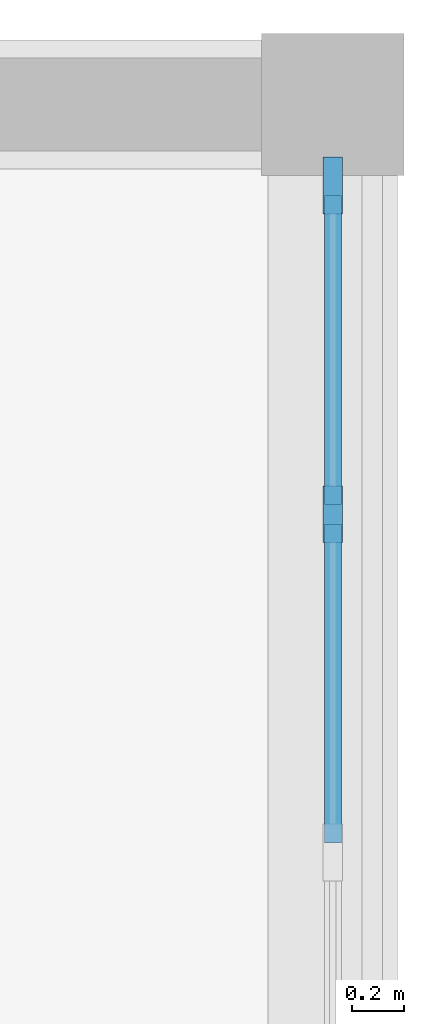
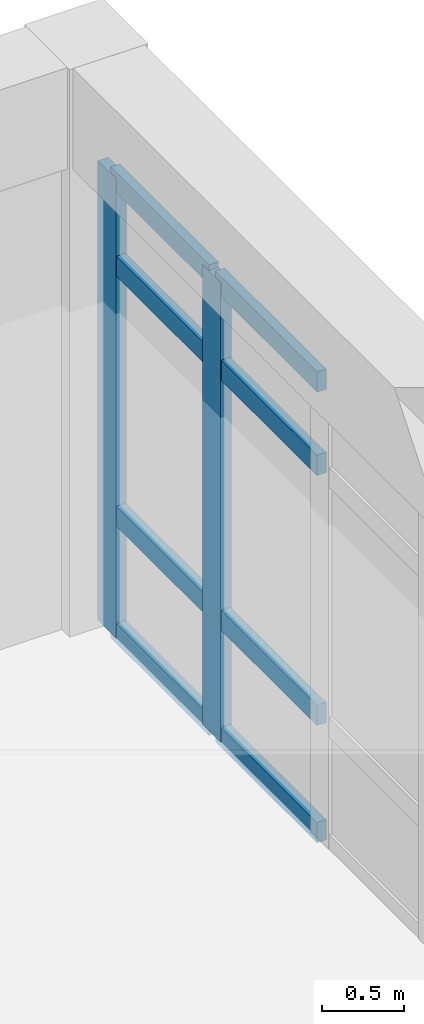
# One storey, part 52 of 99: 10 members, 1 element without a shape of its own.
"""IFC4 building model written with IfcOpenShell, lengths in metres."""

from ifc_helpers import new_model, si_unit, direction, frame, origin, origin_2d, place, context, subcontext, project, spatial, rectangle, extrude, material, layer, layer_set, material_profile, profile_set, type_object, element, aggregate, save


model = new_model("IFC4")

# Units and contexts
model_context = context("Model", 3, precision=1e-05, world=origin(), true_north=direction((0.0, 1.0)))
body_context = subcontext(model_context, "Body", "Model", "MODEL_VIEW")
ifc_project = project(units=[si_unit("LENGTHUNIT", "METRE"), si_unit("AREAUNIT", "SQUARE_METRE"), si_unit("VOLUMEUNIT", "CUBIC_METRE"), si_unit("PLANEANGLEUNIT", "RADIAN"), si_unit("MASSUNIT", "GRAM", prefix="KILO")], contexts=[model_context])

# Site, building, storey
site_placement = place(None, origin())
site = spatial("IfcSite", under=ifc_project, at=site_placement, CompositionType="ELEMENT")
building_placement = place(site_placement, origin())
building = spatial("IfcBuilding", under=site, at=building_placement, Name="Porcellanite Civic Hall", CompositionType="ELEMENT")
storey_placement = place(building_placement, frame((0.0, 0.0, 5.760009765625)))
storey = spatial("IfcBuildingStorey", under=building, at=storey_placement, Name="L01", CompositionType="ELEMENT", Elevation=5.760009765625)

# Curtain wall, members
ifc_material_1 = material(Name="Anodised aluminium and solar laminated glass", Category="aluminium")
ifc_layer = layer(ifc_material_1, 0.179931640625)
ifc_layer_set = layer_set([ifc_layer], Name="Anodised aluminium and solar laminated glass")
curtain_wall_type = type_object("IfcCurtainWallType", Name="CW-SYS02", PredefinedType="NOTDEFINED", material=ifc_layer_set)
curtain_wall_placement = place(storey_placement, origin())
curtain_wall = element("IfcCurtainWall", 1, at=curtain_wall_placement, inside=storey, type_object=curtain_wall_type, Name="Curtain wall CW-131", PredefinedType="NOTDEFINED")
ifc_material_2 = material(Name="Anodised aluminium 6063-T6", Category="aluminium")
ifc_material_profile_1 = material_profile(ifc_material_2, rectangle(XDim=0.074951171875, YDim=0.219970703125, at=origin_2d()), Name="AL-75x220")
ifc_profile_set_1 = profile_set([ifc_material_profile_1], Name="Anodised aluminium 6063-T6")
member_type_1 = type_object("IfcMemberType", Name="CWM-03", PredefinedType="MULLION", material=ifc_profile_set_1)
member_1_placement = place(storey_placement, frame((176.39990234375, 75.28662109375, 0.0), z_axis=(0.0, 0.0, 1.0), x_axis=(1.0, 0.0, 0.0)))
member_1 = element("IfcMember", 2, at=member_1_placement, type_object=member_type_1, Name="CW-131 mullion 1", PredefinedType="MULLION", context=body_context, shape_type="SweptSolid", body=[
    extrude(rectangle(XDim=0.074951171875, YDim=0.219970703125, at=origin_2d()), origin(), (0.0, 0.0, 1.0), 3.39990234375),
])
member_2_placement = place(storey_placement, frame((176.39990234375, 74.01611328125, 0.0), z_axis=(0.0, 0.0, 1.0), x_axis=(1.0, 0.0, 0.0)))
member_2 = element("IfcMember", 3, at=member_2_placement, type_object=member_type_1, Name="CW-131 mullion 2", PredefinedType="MULLION", context=body_context, shape_type="SweptSolid", body=[
    extrude(rectangle(XDim=0.074951171875, YDim=0.219970703125, at=origin_2d()), origin(), (0.0, 0.0, 1.0), 3.39990234375),
])
ifc_material_3 = material(Name="Anodised aluminium 6063-T6", Category="aluminium")
ifc_material_profile_2 = material_profile(ifc_material_3, rectangle(XDim=0.06494140625, YDim=0.14990234375, at=origin_2d()), Name="AL-65x150")
ifc_profile_set_2 = profile_set([ifc_material_profile_2], Name="Anodised aluminium 6063-T6")
member_type_2 = type_object("IfcMemberType", Name="CWT-02", PredefinedType="USERDEFINED", material=ifc_profile_set_2)
member_3_placement = place(storey_placement, frame((176.39990234375, 75.2490234375, 0.032470703125), z_axis=(0.0, -1.0, 0.0), x_axis=(1.0, 0.0, 0.0)))
member_3 = element("IfcMember", 4, at=member_3_placement, type_object=member_type_2, Name="CW-131 transom 1.1", ObjectType="TRANSOM", PredefinedType="USERDEFINED", context=body_context, shape_type="SweptSolid", body=[
    extrude(rectangle(XDim=0.06494140625, YDim=0.14990234375, at=origin_2d()), origin(), (0.0, 0.0, 1.0), 1.195556640625),
])
member_4_placement = place(storey_placement, frame((176.39990234375, 75.2490234375, 0.89990234375), z_axis=(0.0, -1.0, 0.0), x_axis=(1.0, 0.0, 0.0)))
member_4 = element("IfcMember", 5, at=member_4_placement, type_object=member_type_2, Name="CW-131 transom 1.2", ObjectType="TRANSOM", PredefinedType="USERDEFINED", context=body_context, shape_type="SweptSolid", body=[
    extrude(rectangle(XDim=0.06494140625, YDim=0.14990234375, at=origin_2d()), origin(), (0.0, 0.0, 1.0), 1.195556640625),
])
member_5_placement = place(storey_placement, frame((176.39990234375, 75.2490234375, 2.75), z_axis=(0.0, -1.0, 0.0), x_axis=(1.0, 0.0, 0.0)))
member_5 = element("IfcMember", 6, at=member_5_placement, type_object=member_type_2, Name="CW-131 transom 1.3", ObjectType="TRANSOM", PredefinedType="USERDEFINED", context=body_context, shape_type="SweptSolid", body=[
    extrude(rectangle(XDim=0.06494140625, YDim=0.14990234375, at=origin_2d()), origin(), (0.0, 0.0, 1.0), 1.195556640625),
])
member_6_placement = place(storey_placement, frame((176.39990234375, 75.2490234375, 3.367431640625), z_axis=(0.0, -1.0, 0.0), x_axis=(1.0, 0.0, 0.0)))
member_6 = element("IfcMember", 7, at=member_6_placement, type_object=member_type_2, Name="CW-131 transom 1.4", ObjectType="TRANSOM", PredefinedType="USERDEFINED", context=body_context, shape_type="SweptSolid", body=[
    extrude(rectangle(XDim=0.06494140625, YDim=0.14990234375, at=origin_2d()), origin(), (0.0, 0.0, 1.0), 1.195556640625),
])
member_7_placement = place(storey_placement, frame((176.39990234375, 73.978515625, 0.032470703125), z_axis=(0.0, -1.0, 0.0), x_axis=(1.0, 0.0, 0.0)))
member_7 = element("IfcMember", 8, at=member_7_placement, type_object=member_type_2, Name="CW-131 transom 2.1", ObjectType="TRANSOM", PredefinedType="USERDEFINED", context=body_context, shape_type="SweptSolid", body=[
    extrude(rectangle(XDim=0.06494140625, YDim=0.14990234375, at=origin_2d()), origin(), (0.0, 0.0, 1.0), 1.23291015625),
])
member_8_placement = place(storey_placement, frame((176.39990234375, 73.978515625, 0.89990234375), z_axis=(0.0, -1.0, 0.0), x_axis=(1.0, 0.0, 0.0)))
member_8 = element("IfcMember", 9, at=member_8_placement, type_object=member_type_2, Name="CW-131 transom 2.2", ObjectType="TRANSOM", PredefinedType="USERDEFINED", context=body_context, shape_type="SweptSolid", body=[
    extrude(rectangle(XDim=0.06494140625, YDim=0.14990234375, at=origin_2d()), origin(), (0.0, 0.0, 1.0), 1.23291015625),
])
member_9_placement = place(storey_placement, frame((176.39990234375, 73.978515625, 2.75), z_axis=(0.0, -1.0, 0.0), x_axis=(1.0, 0.0, 0.0)))
member_9 = element("IfcMember", 10, at=member_9_placement, type_object=member_type_2, Name="CW-131 transom 2.3", ObjectType="TRANSOM", PredefinedType="USERDEFINED", context=body_context, shape_type="SweptSolid", body=[
    extrude(rectangle(XDim=0.06494140625, YDim=0.14990234375, at=origin_2d()), origin(), (0.0, 0.0, 1.0), 1.23291015625),
])
member_10_placement = place(storey_placement, frame((176.39990234375, 73.978515625, 3.367431640625), z_axis=(0.0, -1.0, 0.0), x_axis=(1.0, 0.0, 0.0)))
member_10 = element("IfcMember", 11, at=member_10_placement, type_object=member_type_2, Name="CW-131 transom 2.4", ObjectType="TRANSOM", PredefinedType="USERDEFINED", context=body_context, shape_type="SweptSolid", body=[
    extrude(rectangle(XDim=0.06494140625, YDim=0.14990234375, at=origin_2d()), origin(), (0.0, 0.0, 1.0), 1.23291015625),
])
aggregate(curtain_wall, [member_1, member_2, member_3, member_4, member_5, member_6, member_7, member_8, member_9, member_10])

save(model, "model.ifc")
